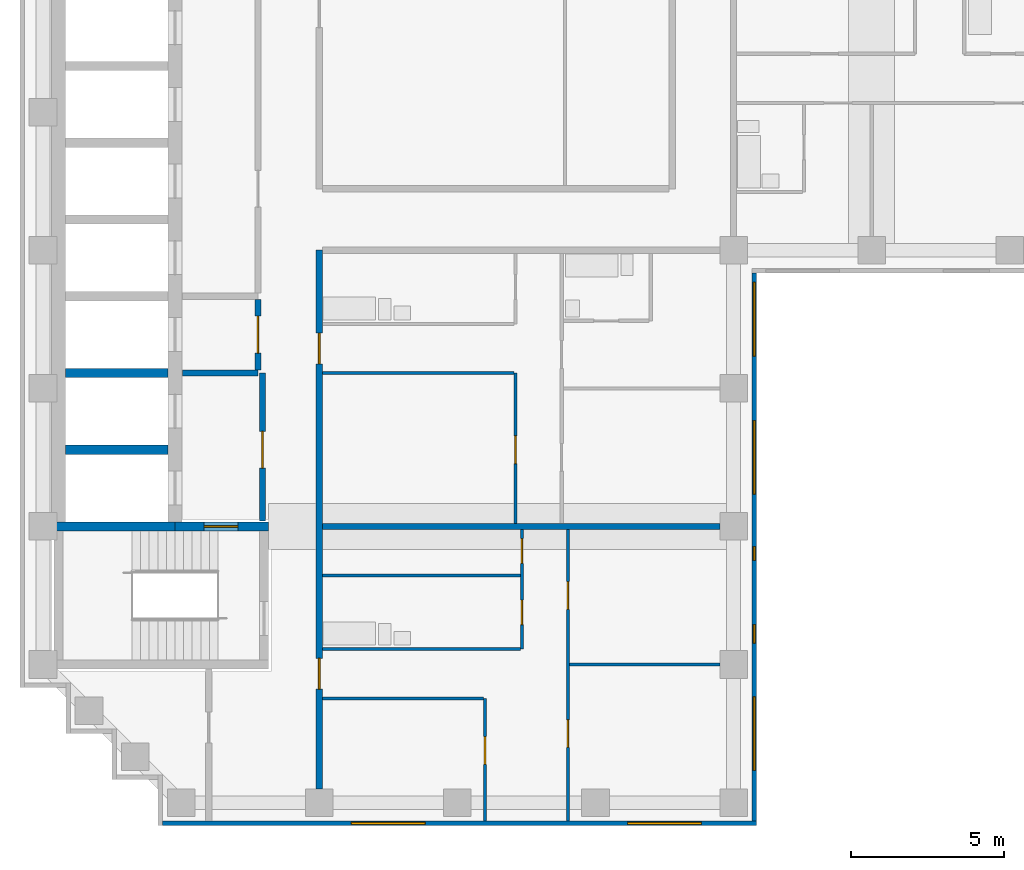
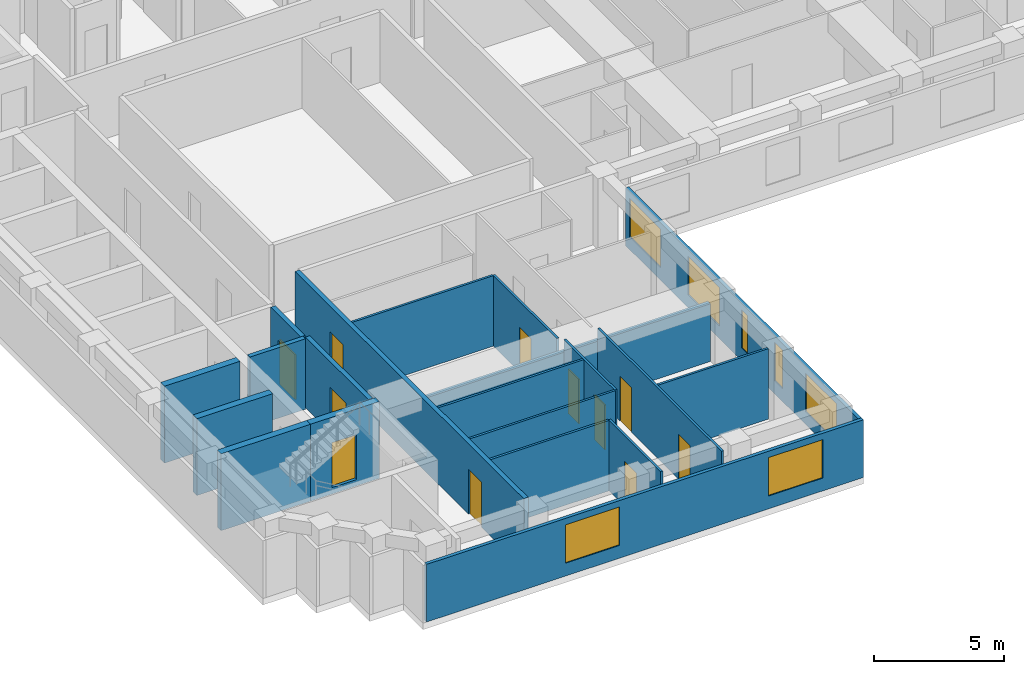
# One storey, part 2 of 9: 20 walls, 11 doors, 7 windows, 18 openings.
"""IFC4 building model written with IfcOpenShell, lengths in metres."""

import ifcopenshell
import ifcopenshell.guid

model = None  # the IFC model being written
_history = None  # IfcOwnerHistory: only IFC2X3 demands one
_inside = {}  # id of a spatial element -> (the spatial element, [elements in it])
_under = {}  # id of a project, library or spatial element -> (it, [spatial elements below it])
_declared = {}  # id of a project -> (the project, [libraries it declares])
_typed = {}  # id of a type object -> (the type object, [elements of that type])
_made_of = {}  # id of a material, layer set ... -> (it, [elements and type objects made of it])


def new_model(schema):
    """Start an empty IFC model of exactly this schema.

    Asked for "IFC4X3", IfcOpenShell would pick the latest addendum, in which some entities
    have other attributes; the version numbers below select the first issue.
    IFC2X3 requires an IfcOwnerHistory on every rooted entity: one is made here for all.
    """
    global model, _history
    if schema == "IFC4X3":
        model = ifcopenshell.file(schema_version=(4, 3, 0, 0))
    else:
        model = ifcopenshell.file(schema=schema)
    _inside.clear()
    _under.clear()
    _declared.clear()
    _typed.clear()
    _made_of.clear()
    _history = None
    if model.schema == "IFC2X3":
        org = make("IfcOrganization", Name="unknown")
        user = make(
            "IfcPersonAndOrganization",
            ThePerson=make("IfcPerson", FamilyName="unknown"),
            TheOrganization=org,
        )
        app = make(
            "IfcApplication",
            ApplicationDeveloper=org,
            Version="unknown",
            ApplicationFullName="unknown",
            ApplicationIdentifier="unknown",
        )
        _history = make(
            "IfcOwnerHistory",
            OwningUser=user,
            OwningApplication=app,
            ChangeAction="ADDED",
            CreationDate=0,
        )
    return model


def make(cls, **values):
    """One entity of the class cls with the attributes given. An attribute that is None is left unset."""
    return model.create_entity(
        cls, **{name: value for name, value in values.items() if value is not None}
    )


def rooted(cls, **values):
    """An entity with a GlobalId (a new one), such as an element, a storey or a relation."""
    return make(cls, GlobalId=ifcopenshell.guid.new(), OwnerHistory=_history, **values)


def si_unit(unit_type, name, prefix=None):
    """IfcSIUnit, for example si_unit("LENGTHUNIT", "METRE", prefix="MILLI")."""
    return make("IfcSIUnit", UnitType=unit_type, Prefix=prefix, Name=name)


def assignment(units):
    """IfcUnitAssignment: the units of a project."""
    return None if units is None else make("IfcUnitAssignment", Units=units)


def point(xyz):
    """IfcCartesianPoint."""
    return None if xyz is None else make("IfcCartesianPoint", Coordinates=xyz)


def direction(xyz):
    """IfcDirection."""
    return None if xyz is None else make("IfcDirection", DirectionRatios=xyz)


def frame(location, z_axis=None, x_axis=None):
    """IfcAxis2Placement3D, a coordinate frame: its origin and axes. An axis left out is left unset."""
    return make(
        "IfcAxis2Placement3D",
        Location=point(location),
        Axis=direction(z_axis),
        RefDirection=direction(x_axis),
    )


def frame_2d(location, x_axis=None):
    """IfcAxis2Placement2D, a coordinate frame in the plane: its origin and x axis."""
    return make(
        "IfcAxis2Placement2D", Location=point(location), RefDirection=direction(x_axis)
    )


def origin():
    """The frame at (0, 0, 0) with its axes left unset."""
    return frame((0.0, 0.0, 0.0))


def place(relative_to, where):
    """IfcLocalPlacement: puts the frame where relative to a parent placement (None: the world)."""
    return make(
        "IfcLocalPlacement", PlacementRelTo=relative_to, RelativePlacement=where
    )


def context(
    kind, dimensions, precision=None, world=None, true_north=None, identifier=None
):
    """IfcGeometricRepresentationContext, for example the 3D "Model" context."""
    return make(
        "IfcGeometricRepresentationContext",
        ContextIdentifier=identifier,
        ContextType=kind,
        CoordinateSpaceDimension=dimensions,
        Precision=precision,
        WorldCoordinateSystem=world,
        TrueNorth=true_north,
    )


def subcontext(parent, identifier, kind, view, scale=None):
    """IfcGeometricRepresentationSubContext, for example "Body" below "Model"."""
    return make(
        "IfcGeometricRepresentationSubContext",
        ContextIdentifier=identifier,
        ContextType=kind,
        ParentContext=parent,
        TargetScale=scale,
        TargetView=view,
    )


def project(units=None, contexts=None):
    """IfcProject with its units and contexts."""
    return rooted(
        "IfcProject",
        Name="project",
        RepresentationContexts=contexts,
        UnitsInContext=assignment(units),
    )


def spatial(cls, under=None, at=None, **own):
    """A site, building, storey or space (cls), placed at a placement, below another one or the project."""
    s = rooted(cls, ObjectPlacement=at, **own)
    if under is not None:
        _under.setdefault(under.id(), (under, []))[1].append(s)
    return s


def profile(cls, at=None, kind="AREA", **sizes):
    """A parametric profile (cls). Its sizes go by their IFC names, for example OverallWidth=200.0."""
    return make(cls, ProfileType=kind, Position=at, **sizes)


def rectangle(**sizes):
    """IfcRectangleProfileDef."""
    return profile("IfcRectangleProfileDef", **sizes)


def extrude(swept, where, along, depth):
    """IfcExtrudedAreaSolid: the profile swept, set in the frame where, extruded along a direction by depth."""
    return make(
        "IfcExtrudedAreaSolid",
        SweptArea=swept,
        Position=where,
        ExtrudedDirection=direction(along),
        Depth=depth,
    )


def shape(context_of_items, identifier, shape_type, items):
    """IfcShapeRepresentation: the items that make up one representation, for example the "Body"."""
    return make(
        "IfcShapeRepresentation",
        ContextOfItems=context_of_items,
        RepresentationIdentifier=identifier,
        RepresentationType=shape_type,
        Items=items,
    )


def material(Name=None, Category=None):
    """IfcMaterial."""
    return make("IfcMaterial", Name=Name, Category=Category)


def layer(
    of_material, thickness, ventilated=None, Name=None, Category=None, Priority=None
):
    """IfcMaterialLayer: one layer of a wall or slab, of a material (None: an air gap)."""
    return make(
        "IfcMaterialLayer",
        Material=of_material,
        LayerThickness=thickness,
        IsVentilated=ventilated,
        Name=Name,
        Category=Category,
        Priority=Priority,
    )


def layer_set(layers, Name=None):
    """IfcMaterialLayerSet."""
    return make("IfcMaterialLayerSet", MaterialLayers=layers, LayerSetName=Name)


def made_of(thing, what):
    """Note that an element or type object is made of a material, layer set ...; save() writes the relation."""
    if what is not None:
        _made_of.setdefault(what.id(), (what, []))[1].append(thing)
    return thing


def type_object(cls, material=None, **own):
    """A type object (cls), such as IfcWallType, which elements share."""
    return made_of(rooted(cls, **own), material)


def element(
    cls,
    number,
    at=None,
    inside=None,
    cuts=None,
    type_object=None,
    material=None,
    context=None,
    identifier="Body",
    shape_type=None,
    held_by="IfcProductDefinitionShape",
    body=None,
    shapes=None,
    **own,
):
    """One element of the class cls, such as IfcWall. Its Tag is "e" and its number.

    at: its placement. inside: the storey or other place that contains it. cuts: it is an
    opening in that element (IfcRelVoidsElement). A single representation is given by context,
    identifier, shape_type and body (its items); several are given by shapes. held_by: the class
    of the entity that holds the representations. save() writes the other relations.
    """
    e = rooted(cls, Tag="e%d" % number, ObjectPlacement=at, **own)
    if body is not None:
        shapes = [shape(context, identifier, shape_type, body)]
    if shapes is not None:
        e.Representation = make(held_by, Representations=shapes)
    if inside is not None:
        _inside.setdefault(inside.id(), (inside, []))[1].append(e)
    if cuts is not None:
        rooted(
            "IfcRelVoidsElement", RelatingBuildingElement=cuts, RelatedOpeningElement=e
        )
    if type_object is not None:
        _typed.setdefault(type_object.id(), (type_object, []))[1].append(e)
    return made_of(e, material)


def fill(opening, filler):
    """IfcRelFillsElement: the door or window that sits in an opening."""
    return rooted(
        "IfcRelFillsElement",
        RelatingOpeningElement=opening,
        RelatedBuildingElement=filler,
    )


def aggregate(whole, parts):
    """IfcRelAggregates: a whole, such as a stair, and the parts it consists of."""
    return rooted("IfcRelAggregates", RelatingObject=whole, RelatedObjects=parts)


def save(model, path):
    """Write the relations noted so far, then the file.

    IfcRelAggregates (storeys below a building ...), IfcRelContainedInSpatialStructure (elements
    in a storey), IfcRelDefinesByType, IfcRelAssociatesMaterial and IfcRelDeclares: one each for
    every whole, place, type object, material and project.
    """
    for whole, parts in _under.values():
        aggregate(whole, parts)
    for where, things in _inside.values():
        rooted(
            "IfcRelContainedInSpatialStructure",
            RelatedElements=things,
            RelatingStructure=where,
        )
    for kind, things in _typed.values():
        rooted("IfcRelDefinesByType", RelatedObjects=things, RelatingType=kind)
    for what, things in _made_of.values():
        rooted("IfcRelAssociatesMaterial", RelatedObjects=things, RelatingMaterial=what)
    for by, libraries in _declared.values():
        rooted("IfcRelDeclares", RelatingContext=by, RelatedDefinitions=libraries)
    model.write(path)


model = new_model("IFC4")

# Units and contexts
model_context = context("Model", 3, precision=1e-05, world=origin(), true_north=direction((0.0, 1.0)))
body_context = subcontext(model_context, "Body", "Model", "MODEL_VIEW")
ifc_project = project(units=[si_unit("LENGTHUNIT", "METRE"), si_unit("AREAUNIT", "SQUARE_METRE"), si_unit("VOLUMEUNIT", "CUBIC_METRE"), si_unit("PLANEANGLEUNIT", "RADIAN"), si_unit("MASSUNIT", "GRAM", prefix="KILO")], contexts=[model_context])

# Site, building, storey
site_placement = place(None, origin())
site = spatial("IfcSite", under=ifc_project, at=site_placement, CompositionType="ELEMENT")
building_placement = place(site_placement, origin())
building = spatial("IfcBuilding", under=site, at=building_placement, Name="Firuza Court", CompositionType="ELEMENT")
storey_placement = place(building_placement, frame((0.0, 0.0, 222.199951171875)))
storey = spatial("IfcBuildingStorey", under=building, at=storey_placement, Name="L57", CompositionType="ELEMENT", Elevation=222.199951171875)

# Walls
ifc_material_1 = material(Name="Moisture-resistant gypsum board partition")
ifc_layer_1 = layer(ifc_material_1, 0.10009765625)
ifc_layer_set_1 = layer_set([ifc_layer_1], Name="Moisture-resistant gypsum board partition")
wall_type_1 = type_object("IfcWallType", Name="Bathroom partition 100", PredefinedType="PLUMBINGWALL", material=ifc_layer_set_1)
for number, where, z_axis, x_axis, name in (
    (1, (9.10009765625, 23.0, 0.0), (0.0, 0.0, 1.0), (1.0, 0.0, 0.0), "Bathroom partition 100 L57"),
    (2, (9.10009765625, 25.39990234375, 0.0), (0.0, 0.0, 1.0), (1.0, 0.0, 0.0), "Bathroom partition 100 L57"),
):
    element("IfcWall", number, at=place(storey_placement, frame(where, z_axis=z_axis, x_axis=x_axis)), inside=storey, type_object=wall_type_1, Name=name, PredefinedType="PLUMBINGWALL", context=body_context, shape_type="SweptSolid", body=[
        extrude(rectangle(XDim=6.449951171875, YDim=0.10009765625, at=frame_2d((3.22509765625, 0.0))), origin(), (0.0, 0.0, 1.0), 3.300048828125),
    ])
ifc_material_2 = material(Name="Concrete C50/60", Category="concrete")
ifc_layer_2 = layer(ifc_material_2, 0.300048828125)
ifc_layer_set_2 = layer_set([ifc_layer_2], Name="Concrete C50/60")
wall_type_2 = type_object("IfcWallType", Name="Core wall 300 C50/60", PredefinedType="SHEAR", material=ifc_layer_set_2)
wall_1_placement = place(storey_placement, frame((0.35009765625, 27.0, -0.300048828125), z_axis=(0.0, 0.0, 1.0), x_axis=(1.0, 0.0, 0.0)))
element("IfcWall", 3, at=wall_1_placement, inside=storey, type_object=wall_type_2, Name="Core wall lift shaft L57", PredefinedType="SHEAR", context=body_context, shape_type="SweptSolid", body=[
    extrude(rectangle(XDim=3.949951171875, YDim=0.300048828125, at=frame_2d((1.97509765625, 0.0))), origin(), (0.0, 0.0, 1.0), 3.60009765625),
])
for number, where, z_axis, x_axis, name in (
    (4, (0.72509765625, 29.5, -0.300048828125), (0.0, 0.0, 1.0), (1.0, 0.0, 0.0), "Core wall lift shaft L57"),
    (5, (0.72509765625, 32.0, -0.300048828125), (0.0, 0.0, 1.0), (1.0, 0.0, 0.0), "Core wall lift shaft L57"),
):
    element("IfcWall", number, at=place(storey_placement, frame(where, z_axis=z_axis, x_axis=x_axis)), inside=storey, type_object=wall_type_2, Name=name, PredefinedType="SHEAR", context=body_context, shape_type="SweptSolid", body=[
        extrude(rectangle(XDim=3.349853515625, YDim=0.300048828125, at=frame_2d((1.6748046875, 0.0))), origin(), (0.0, 0.0, 1.0), 3.60009765625),
    ])

# Wall, opening, door
wall_2_placement = place(storey_placement, frame((4.300048828125, 27.0, -0.300048828125), z_axis=(0.0, 0.0, 1.0), x_axis=(1.0, 0.0, 0.0)))
wall_2 = element("IfcWall", 6, at=wall_2_placement, inside=storey, type_object=wall_type_2, Name="Core wall stair L57", PredefinedType="SHEAR", context=body_context, shape_type="SweptSolid", body=[
    extrude(rectangle(XDim=3.050048828125, YDim=0.300048828125, at=frame_2d((1.52490234375, 0.0))), origin(), (0.0, 0.0, 1.0), 3.60009765625),
])
opening_1_placement = place(wall_2_placement, frame((0.949951171875, 0.0, 0.300048828125)))
opening_1 = element("IfcOpeningElement", 7, at=opening_1_placement, cuts=wall_2, Name="Opening D57010", PredefinedType="OPENING", context=body_context, shape_type="SweptSolid", body=[
    extrude(rectangle(XDim=1.10009765625, YDim=2.10009765625, at=frame_2d((0.550048828125, 1.050048828125))), frame((0.0, 0.162109375, 0.0), z_axis=(0.0, -1.0, 0.0), x_axis=(1.0, 0.0, 0.0)), (0.0, 0.0, 1.0), 0.323974609375),
])
ifc_material_3 = material(Name="Timber door leaf in hardwood frame", Category="wood")
door_type_1 = type_object("IfcDoorType", Name="Stair door 1100", OperationType="SINGLE_SWING_LEFT", PredefinedType="DOOR", material=ifc_material_3)
door_1_placement = place(opening_1_placement, frame((1.10009765625, 0.0, 0.0), z_axis=(0.0, 0.0, 1.0), x_axis=(-1.0, 0.0, 0.0)))
door_1 = element("IfcDoor", 8, at=door_1_placement, inside=storey, type_object=door_type_1, Name="Fire-fighting lobby door", OperationType="SINGLE_SWING_LEFT", OverallHeight=2.10009765625, OverallWidth=1.10009765625, PredefinedType="DOOR", context=body_context, shape_type="SweptSolid", body=[
    extrude(rectangle(XDim=1.10009765625, YDim=2.10009765625, at=frame_2d((0.550048828125, 1.050048828125))), frame((0.0, 0.02490234375, 0.0), z_axis=(0.0, -1.0, 0.0), x_axis=(1.0, 0.0, 0.0)), (0.0, 0.0, 1.0), 0.050048828125),
])
fill(opening_1, door_1)

# Wall, openings, doors
ifc_material_4 = material(Name="Blockwork, plastered both sides", Category="masonry")
ifc_layer_3 = layer(ifc_material_4, 0.199951171875)
ifc_layer_set_3 = layer_set([ifc_layer_3], Name="Blockwork, plastered both sides")
wall_type_3 = type_object("IfcWallType", Name="Corridor wall 200", PredefinedType="PARTITIONING", material=ifc_layer_set_3)
wall_3_placement = place(storey_placement, frame((9.0, 18.449951171875, 0.0), z_axis=(0.0, 0.0, 1.0), x_axis=(0.0, 1.0, 0.0)))
wall_3 = element("IfcWall", 9, at=wall_3_placement, inside=storey, type_object=wall_type_3, Name="Corridor wall 200 L57", PredefinedType="PARTITIONING", context=body_context, shape_type="SweptSolid", body=[
    extrude(rectangle(XDim=17.550048828125, YDim=0.199951171875, at=frame_2d((8.77490234375, 0.0))), origin(), (0.0, 0.0, 1.0), 3.300048828125),
])
opening_2_placement = place(wall_3_placement, frame((13.85009765625, 0.0, 0.0)))
opening_2 = element("IfcOpeningElement", 10, at=opening_2_placement, cuts=wall_3, Name="Opening D57017", PredefinedType="OPENING", context=body_context, shape_type="SweptSolid", body=[
    extrude(rectangle(XDim=1.0, YDim=2.10009765625, at=frame_2d((0.5, 1.050048828125))), frame((0.0, 0.11181640625, 0.0), z_axis=(0.0, -1.0, 0.0), x_axis=(1.0, 0.0, 0.0)), (0.0, 0.0, 1.0), 0.223876953125),
])
opening_3_placement = place(wall_3_placement, frame((3.25, 0.0, 0.0)))
opening_3 = element("IfcOpeningElement", 11, at=opening_3_placement, cuts=wall_3, Name="Opening D57018", PredefinedType="OPENING", context=body_context, shape_type="SweptSolid", body=[
    extrude(rectangle(XDim=1.0, YDim=2.10009765625, at=frame_2d((0.5, 1.050048828125))), frame((0.0, 0.11181640625, 0.0), z_axis=(0.0, -1.0, 0.0), x_axis=(1.0, 0.0, 0.0)), (0.0, 0.0, 1.0), 0.223876953125),
])
ifc_material_5 = material(Name="Timber door leaf in hardwood frame", Category="wood")
door_type_2 = type_object("IfcDoorType", Name="Flat entrance door 1000", OperationType="SINGLE_SWING_LEFT", PredefinedType="DOOR", material=ifc_material_5)
door_2_placement = place(opening_2_placement, origin())
door_2 = element("IfcDoor", 12, at=door_2_placement, inside=storey, type_object=door_type_2, Name="Flat entrance door", OperationType="SINGLE_SWING_LEFT", OverallHeight=2.10009765625, OverallWidth=1.0, PredefinedType="DOOR", context=body_context, shape_type="SweptSolid", body=[
    extrude(rectangle(XDim=1.0, YDim=2.10009765625, at=frame_2d((0.5, 1.050048828125))), frame((0.0, 0.02490234375, 0.0), z_axis=(0.0, -1.0, 0.0), x_axis=(1.0, 0.0, 0.0)), (0.0, 0.0, 1.0), 0.050048828125),
])
fill(opening_2, door_2)
door_3_placement = place(opening_3_placement, origin())
door_3 = element("IfcDoor", 13, at=door_3_placement, inside=storey, type_object=door_type_2, Name="Flat entrance door", OperationType="SINGLE_SWING_LEFT", OverallHeight=2.10009765625, OverallWidth=1.0, PredefinedType="DOOR", context=body_context, shape_type="SweptSolid", body=[
    extrude(rectangle(XDim=1.0, YDim=2.10009765625, at=frame_2d((0.5, 1.050048828125))), frame((0.0, 0.02490234375, 0.0), z_axis=(0.0, -1.0, 0.0), x_axis=(1.0, 0.0, 0.0)), (0.0, 0.0, 1.0), 0.050048828125),
])
fill(opening_3, door_3)

# Wall, opening, door
ifc_material_6 = material(Name="Timber stud partition, plasterboard both sides", Category="wood")
ifc_layer_4 = layer(ifc_material_6, 0.10009765625)
ifc_layer_set_4 = layer_set([ifc_layer_4], Name="Timber stud partition, plasterboard both sides")
wall_type_4 = type_object("IfcWallType", Name="Partition wall 100", PredefinedType="PARTITIONING", material=ifc_layer_set_4)
wall_4_placement = place(storey_placement, frame((14.39990234375, 17.39990234375, 0.0), z_axis=(0.0, 0.0, 1.0), x_axis=(0.0, 1.0, 0.0)))
wall_4 = element("IfcWall", 14, at=wall_4_placement, inside=storey, type_object=wall_type_4, Name="Partition wall 100 L57", PredefinedType="PARTITIONING", context=body_context, shape_type="SweptSolid", body=[
    extrude(rectangle(XDim=4.0, YDim=0.10009765625, at=frame_2d((2.0, 0.0))), origin(), (0.0, 0.0, 1.0), 3.300048828125),
])
opening_4_placement = place(wall_4_placement, frame((1.85009765625, 0.0, 0.0)))
opening_4 = element("IfcOpeningElement", 15, at=opening_4_placement, cuts=wall_4, Name="Opening D57014", PredefinedType="OPENING", context=body_context, shape_type="SweptSolid", body=[
    extrude(rectangle(XDim=0.89990234375, YDim=2.10009765625, at=frame_2d((0.449951171875, 1.050048828125))), frame((0.0, 0.06201171875, 0.0), z_axis=(0.0, -1.0, 0.0), x_axis=(1.0, 0.0, 0.0)), (0.0, 0.0, 1.0), 0.1240234375),
])
ifc_material_7 = material(Name="Timber door leaf in hardwood frame", Category="wood")
door_type_3 = type_object("IfcDoorType", Name="Room door 900", OperationType="SINGLE_SWING_LEFT", PredefinedType="DOOR", material=ifc_material_7)
door_4_placement = place(opening_4_placement, origin())
door_4 = element("IfcDoor", 16, at=door_4_placement, inside=storey, type_object=door_type_3, Name="Kitchen door", OperationType="SINGLE_SWING_RIGHT", OverallHeight=2.10009765625, OverallWidth=0.89990234375, PredefinedType="DOOR", context=body_context, shape_type="SweptSolid", body=[
    extrude(rectangle(XDim=0.89990234375, YDim=2.10009765625, at=frame_2d((0.449951171875, 1.050048828125))), frame((0.0, 0.02490234375, 0.0), z_axis=(0.0, -1.0, 0.0), x_axis=(1.0, 0.0, 0.0)), (0.0, 0.0, 1.0), 0.050048828125),
])
fill(opening_4, door_4)

# Wall, openings, doors
wall_5_placement = place(storey_placement, frame((17.10009765625, 17.39990234375, 0.0), z_axis=(0.0, 0.0, 1.0), x_axis=(0.0, 1.0, 0.0)))
wall_5 = element("IfcWall", 17, at=wall_5_placement, inside=storey, type_object=wall_type_4, Name="Partition wall 100 L57", PredefinedType="PARTITIONING", context=body_context, shape_type="SweptSolid", body=[
    extrude(rectangle(XDim=9.5, YDim=0.10009765625, at=frame_2d((4.75, 0.0))), origin(), (0.0, 0.0, 1.0), 3.300048828125),
])
opening_5_placement = place(wall_5_placement, frame((2.39990234375, 0.0, 0.0)))
opening_5 = element("IfcOpeningElement", 18, at=opening_5_placement, cuts=wall_5, Name="Opening D57015", PredefinedType="OPENING", context=body_context, shape_type="SweptSolid", body=[
    extrude(rectangle(XDim=0.89990234375, YDim=2.10009765625, at=frame_2d((0.449951171875, 1.050048828125))), frame((0.0, 0.06201171875, 0.0), z_axis=(0.0, -1.0, 0.0), x_axis=(1.0, 0.0, 0.0)), (0.0, 0.0, 1.0), 0.1240234375),
])
opening_6_placement = place(wall_5_placement, frame((6.89990234375, 0.0, 0.0)))
opening_6 = element("IfcOpeningElement", 19, at=opening_6_placement, cuts=wall_5, Name="Opening D57016", PredefinedType="OPENING", context=body_context, shape_type="SweptSolid", body=[
    extrude(rectangle(XDim=0.89990234375, YDim=2.10009765625, at=frame_2d((0.449951171875, 1.050048828125))), frame((0.0, 0.06201171875, 0.0), z_axis=(0.0, -1.0, 0.0), x_axis=(1.0, 0.0, 0.0)), (0.0, 0.0, 1.0), 0.1240234375),
])
door_5_placement = place(opening_5_placement, frame((0.89990234375, 0.0, 0.0), z_axis=(0.0, 0.0, 1.0), x_axis=(-1.0, 0.0, 0.0)))
door_5 = element("IfcDoor", 20, at=door_5_placement, inside=storey, type_object=door_type_3, Name="Living room door", OperationType="SINGLE_SWING_LEFT", OverallHeight=2.10009765625, OverallWidth=0.89990234375, PredefinedType="DOOR", context=body_context, shape_type="SweptSolid", body=[
    extrude(rectangle(XDim=0.89990234375, YDim=2.10009765625, at=frame_2d((0.449951171875, 1.050048828125))), frame((0.0, 0.02490234375, 0.0), z_axis=(0.0, -1.0, 0.0), x_axis=(1.0, 0.0, 0.0)), (0.0, 0.0, 1.0), 0.050048828125),
])
fill(opening_5, door_5)
door_6_placement = place(opening_6_placement, frame((0.89990234375, 0.0, 0.0), z_axis=(0.0, 0.0, 1.0), x_axis=(-1.0, 0.0, 0.0)))
door_6 = element("IfcDoor", 21, at=door_6_placement, inside=storey, type_object=door_type_3, Name="Bedroom door", OperationType="SINGLE_SWING_RIGHT", OverallHeight=2.10009765625, OverallWidth=0.89990234375, PredefinedType="DOOR", context=body_context, shape_type="SweptSolid", body=[
    extrude(rectangle(XDim=0.89990234375, YDim=2.10009765625, at=frame_2d((0.449951171875, 1.050048828125))), frame((0.0, 0.02490234375, 0.0), z_axis=(0.0, -1.0, 0.0), x_axis=(1.0, 0.0, 0.0)), (0.0, 0.0, 1.0), 0.050048828125),
])
fill(opening_6, door_6)

# Walls
wall_6_placement = place(storey_placement, frame((9.10009765625, 21.39990234375, 0.0), z_axis=(0.0, 0.0, 1.0), x_axis=(1.0, 0.0, 0.0)))
element("IfcWall", 22, at=wall_6_placement, inside=storey, type_object=wall_type_4, Name="Partition wall 100 L57", PredefinedType="PARTITIONING", context=body_context, shape_type="SweptSolid", body=[
    extrude(rectangle(XDim=5.25, YDim=0.10009765625, at=frame_2d((2.625, 0.0))), origin(), (0.0, 0.0, 1.0), 3.300048828125),
])
wall_7_placement = place(storey_placement, frame((17.14990234375, 22.5, 0.0), z_axis=(0.0, 0.0, 1.0), x_axis=(1.0, 0.0, 0.0)))
element("IfcWall", 23, at=wall_7_placement, inside=storey, type_object=wall_type_4, Name="Partition wall 100 L57", PredefinedType="PARTITIONING", context=body_context, shape_type="SweptSolid", body=[
    extrude(rectangle(XDim=4.900146484375, YDim=0.10009765625, at=frame_2d((2.4501953125, 0.0))), origin(), (0.0, 0.0, 1.0), 3.300048828125),
])

# Wall, openings, doors
wall_8_placement = place(storey_placement, frame((15.60009765625, 23.0, 0.0), z_axis=(0.0, 0.0, 1.0), x_axis=(0.0, 1.0, 0.0)))
wall_8 = element("IfcWall", 24, at=wall_8_placement, inside=storey, type_object=wall_type_4, Name="Partition wall 100 L57", PredefinedType="PARTITIONING", context=body_context, shape_type="SweptSolid", body=[
    extrude(rectangle(XDim=3.89990234375, YDim=0.10009765625, at=frame_2d((1.949951171875, 0.0))), origin(), (0.0, 0.0, 1.0), 3.300048828125),
])
opening_7_placement = place(wall_8_placement, frame((0.800048828125, 0.0, 0.0)))
opening_7 = element("IfcOpeningElement", 25, at=opening_7_placement, cuts=wall_8, Name="Opening D57019", PredefinedType="OPENING", context=body_context, shape_type="SweptSolid", body=[
    extrude(rectangle(XDim=0.800048828125, YDim=2.10009765625, at=frame_2d((0.39990234375, 1.050048828125))), frame((0.0, 0.06201171875, 0.0), z_axis=(0.0, -1.0, 0.0), x_axis=(1.0, 0.0, 0.0)), (0.0, 0.0, 1.0), 0.1240234375),
])
opening_8_placement = place(wall_8_placement, frame((2.800048828125, 0.0, 0.0)))
opening_8 = element("IfcOpeningElement", 26, at=opening_8_placement, cuts=wall_8, Name="Opening D57020", PredefinedType="OPENING", context=body_context, shape_type="SweptSolid", body=[
    extrude(rectangle(XDim=0.800048828125, YDim=2.10009765625, at=frame_2d((0.39990234375, 1.050048828125))), frame((0.0, 0.06201171875, 0.0), z_axis=(0.0, -1.0, 0.0), x_axis=(1.0, 0.0, 0.0)), (0.0, 0.0, 1.0), 0.1240234375),
])
ifc_material_8 = material(Name="Timber door leaf in hardwood frame", Category="wood")
door_type_4 = type_object("IfcDoorType", Name="Bathroom door 800", OperationType="SINGLE_SWING_LEFT", PredefinedType="DOOR", material=ifc_material_8)
door_7_placement = place(opening_7_placement, origin())
door_7 = element("IfcDoor", 27, at=door_7_placement, inside=storey, type_object=door_type_4, Name="Bathroom door", OperationType="SINGLE_SWING_LEFT", OverallHeight=2.10009765625, OverallWidth=0.800048828125, PredefinedType="DOOR", context=body_context, shape_type="SweptSolid", body=[
    extrude(rectangle(XDim=0.800048828125, YDim=2.10009765625, at=frame_2d((0.39990234375, 1.050048828125))), frame((0.0, 0.02490234375, 0.0), z_axis=(0.0, -1.0, 0.0), x_axis=(1.0, 0.0, 0.0)), (0.0, 0.0, 1.0), 0.050048828125),
])
fill(opening_7, door_7)
ifc_material_9 = material(Name="Timber door leaf in hardwood frame", Category="wood")
door_type_5 = type_object("IfcDoorType", Name="Room door 800", OperationType="SINGLE_SWING_LEFT", PredefinedType="DOOR", material=ifc_material_9)
door_8_placement = place(opening_8_placement, origin())
door_8 = element("IfcDoor", 28, at=door_8_placement, inside=storey, type_object=door_type_5, Name="Store door", OperationType="SINGLE_SWING_LEFT", OverallHeight=2.10009765625, OverallWidth=0.800048828125, PredefinedType="DOOR", context=body_context, shape_type="SweptSolid", body=[
    extrude(rectangle(XDim=0.800048828125, YDim=2.10009765625, at=frame_2d((0.39990234375, 1.050048828125))), frame((0.0, 0.02490234375, 0.0), z_axis=(0.0, -1.0, 0.0), x_axis=(1.0, 0.0, 0.0)), (0.0, 0.0, 1.0), 0.050048828125),
])
fill(opening_8, door_8)

# Wall, opening, door
wall_9_placement = place(storey_placement, frame((15.39990234375, 27.10009765625, 0.0), z_axis=(0.0, 0.0, 1.0), x_axis=(0.0, 1.0, 0.0)))
wall_9 = element("IfcWall", 29, at=wall_9_placement, inside=storey, type_object=wall_type_4, Name="Partition wall 100 L57", PredefinedType="PARTITIONING", context=body_context, shape_type="SweptSolid", body=[
    extrude(rectangle(XDim=4.89990234375, YDim=0.10009765625, at=frame_2d((2.449951171875, 0.0))), origin(), (0.0, 0.0, 1.0), 3.300048828125),
])
opening_9_placement = place(wall_9_placement, frame((1.949951171875, 0.0, 0.0)))
opening_9 = element("IfcOpeningElement", 30, at=opening_9_placement, cuts=wall_9, Name="Opening D57021", PredefinedType="OPENING", context=body_context, shape_type="SweptSolid", body=[
    extrude(rectangle(XDim=0.89990234375, YDim=2.10009765625, at=frame_2d((0.449951171875, 1.050048828125))), frame((0.0, 0.06201171875, 0.0), z_axis=(0.0, -1.0, 0.0), x_axis=(1.0, 0.0, 0.0)), (0.0, 0.0, 1.0), 0.1240234375),
])
door_9_placement = place(opening_9_placement, origin())
door_9 = element("IfcDoor", 31, at=door_9_placement, inside=storey, type_object=door_type_3, Name="Kitchen door", OperationType="SINGLE_SWING_LEFT", OverallHeight=2.10009765625, OverallWidth=0.89990234375, PredefinedType="DOOR", context=body_context, shape_type="SweptSolid", body=[
    extrude(rectangle(XDim=0.89990234375, YDim=2.10009765625, at=frame_2d((0.449951171875, 1.050048828125))), frame((0.0, 0.02490234375, 0.0), z_axis=(0.0, -1.0, 0.0), x_axis=(1.0, 0.0, 0.0)), (0.0, 0.0, 1.0), 0.050048828125),
])
fill(opening_9, door_9)

# Walls
wall_10_placement = place(storey_placement, frame((9.10009765625, 32.0, 0.0), z_axis=(0.0, 0.0, 1.0), x_axis=(1.0, 0.0, 0.0)))
element("IfcWall", 32, at=wall_10_placement, inside=storey, type_object=wall_type_4, Name="Partition wall 100 L57", PredefinedType="PARTITIONING", context=body_context, shape_type="SweptSolid", body=[
    extrude(rectangle(XDim=6.25, YDim=0.10009765625, at=frame_2d((3.125, 0.0))), origin(), (0.0, 0.0, 1.0), 3.300048828125),
])
ifc_layer_5 = layer(ifc_material_4, 0.199951171875)
ifc_layer_set_5 = layer_set([ifc_layer_5], Name="Blockwork, plastered both sides")
wall_type_5 = type_object("IfcWallType", Name="Party wall 200", PredefinedType="PARTITIONING", material=ifc_layer_set_5)
wall_11_placement = place(storey_placement, frame((9.10009765625, 27.0, 0.0), z_axis=(0.0, 0.0, 1.0), x_axis=(1.0, 0.0, 0.0)))
element("IfcWall", 33, at=wall_11_placement, inside=storey, type_object=wall_type_5, Name="Party wall 200 L57", PredefinedType="PARTITIONING", context=body_context, shape_type="SweptSolid", body=[
    extrude(rectangle(XDim=12.949951171875, YDim=0.199951171875, at=frame_2d((6.47509765625, 0.0))), origin(), (0.0, 0.0, 1.0), 2.699951171875),
])

# Wall, openings, windows
ifc_material_10 = material(Name="Ceramic tile", Category="ceramic")
ifc_layer_6 = layer(ifc_material_10, 0.02001953125)
ifc_material_11 = material(Name="Mineral wool insulation", Category="insulation")
ifc_layer_7 = layer(ifc_material_11, 0.050048828125)
ifc_material_12 = material(Name="Concrete C40/50 precast", Category="concrete")
ifc_layer_8 = layer(ifc_material_12, 0.080078125)
ifc_layer_set_6 = layer_set([ifc_layer_6, ifc_layer_7, ifc_layer_8], Name="Concrete C40/50 precast")
wall_type_6 = type_object("IfcWallType", Name="Precast cladding wall with turquoise TILE PANEL face 150", PredefinedType="STANDARD", material=ifc_layer_set_6)
wall_12_placement = place(storey_placement, frame((3.89990234375, 17.324951171875, 0.0), z_axis=(0.0, 0.0, 1.0), x_axis=(1.0, 0.0, 0.0)))
wall_12 = element("IfcWall", 34, at=wall_12_placement, inside=storey, type_object=wall_type_6, Name="Facade wall L57 S", PredefinedType="STANDARD", context=body_context, shape_type="SweptSolid", body=[
    extrude(rectangle(XDim=19.35009765625, YDim=0.14990234375, at=frame_2d((9.675048828125, 0.0))), origin(), (0.0, 0.0, 1.0), 2.699951171875),
])
opening_10_placement = place(wall_12_placement, frame((6.14990234375, 0.0, 0.60009765625)))
opening_10 = element("IfcOpeningElement", 35, at=opening_10_placement, cuts=wall_12, Name="Opening W1", PredefinedType="OPENING", context=body_context, shape_type="SweptSolid", body=[
    extrude(rectangle(XDim=2.39990234375, YDim=1.800048828125, at=frame_2d((1.199951171875, 0.89990234375))), frame((0.0, 0.0869140625, 0.0), z_axis=(0.0, -1.0, 0.0), x_axis=(1.0, 0.0, 0.0)), (0.0, 0.0, 1.0), 0.173828125),
])
opening_11_placement = place(wall_12_placement, frame((15.14990234375, 0.0, 0.60009765625)))
opening_11 = element("IfcOpeningElement", 36, at=opening_11_placement, cuts=wall_12, Name="Opening W1", PredefinedType="OPENING", context=body_context, shape_type="SweptSolid", body=[
    extrude(rectangle(XDim=2.39990234375, YDim=1.800048828125, at=frame_2d((1.199951171875, 0.89990234375))), frame((0.0, 0.0869140625, 0.0), z_axis=(0.0, -1.0, 0.0), x_axis=(1.0, 0.0, 0.0)), (0.0, 0.0, 1.0), 0.173828125),
])
ifc_material_13 = material(Name="Aluminium frame, triple clear glazing", Category="aluminium")
window_type_1 = type_object("IfcWindowType", Name="Window W1 2400 x 1800", PartitioningType="SINGLE_PANEL", PredefinedType="WINDOW", material=ifc_material_13)
window_1_placement = place(opening_10_placement, origin())
window_1 = element("IfcWindow", 37, at=window_1_placement, inside=storey, type_object=window_type_1, Name="Window L57", OverallHeight=1.800048828125, OverallWidth=2.39990234375, PartitioningType="SINGLE_PANEL", PredefinedType="WINDOW", context=body_context, shape_type="SweptSolid", body=[
    extrude(rectangle(XDim=2.39990234375, YDim=1.800048828125, at=frame_2d((1.199951171875, 0.89990234375))), frame((0.0, 0.030029296875, 0.0), z_axis=(0.0, -1.0, 0.0), x_axis=(1.0, 0.0, 0.0)), (0.0, 0.0, 1.0), 0.06005859375),
])
fill(opening_10, window_1)
window_2_placement = place(opening_11_placement, origin())
window_2 = element("IfcWindow", 38, at=window_2_placement, inside=storey, type_object=window_type_1, Name="Window L57", OverallHeight=1.800048828125, OverallWidth=2.39990234375, PartitioningType="SINGLE_PANEL", PredefinedType="WINDOW", context=body_context, shape_type="SweptSolid", body=[
    extrude(rectangle(XDim=2.39990234375, YDim=1.800048828125, at=frame_2d((1.199951171875, 0.89990234375))), frame((0.0, 0.030029296875, 0.0), z_axis=(0.0, -1.0, 0.0), x_axis=(1.0, 0.0, 0.0)), (0.0, 0.0, 1.0), 0.06005859375),
])
fill(opening_11, window_2)

wall_13_placement = place(storey_placement, frame((23.175048828125, 17.39990234375, 0.0), z_axis=(0.0, 0.0, 1.0), x_axis=(0.0, 1.0, 0.0)))
wall_13 = element("IfcWall", 39, at=wall_13_placement, inside=storey, type_object=wall_type_6, Name="Facade wall L57 E", PredefinedType="STANDARD", context=body_context, shape_type="SweptSolid", body=[
    extrude(rectangle(XDim=17.85009765625, YDim=0.14990234375, at=frame_2d((8.925048828125, 0.0))), origin(), (0.0, 0.0, 1.0), 2.699951171875),
])
opening_12_placement = place(wall_13_placement, frame((1.64990234375, 0.0, 0.60009765625)))
opening_12 = element("IfcOpeningElement", 40, at=opening_12_placement, cuts=wall_13, Name="Opening W1", PredefinedType="OPENING", context=body_context, shape_type="SweptSolid", body=[
    extrude(rectangle(XDim=2.39990234375, YDim=1.800048828125, at=frame_2d((1.199951171875, 0.89990234375))), frame((0.0, 0.0869140625, 0.0), z_axis=(0.0, -1.0, 0.0), x_axis=(1.0, 0.0, 0.0)), (0.0, 0.0, 1.0), 0.173828125),
])
opening_13_placement = place(wall_13_placement, frame((5.797607421875, 0.0, 0.60009765625)))
opening_13 = element("IfcOpeningElement", 41, at=opening_13_placement, cuts=wall_13, Name="Opening W4", PredefinedType="OPENING", context=body_context, shape_type="SweptSolid", body=[
    extrude(rectangle(XDim=0.60009765625, YDim=1.800048828125, at=frame_2d((0.300048828125, 0.89990234375))), frame((0.0, 0.0869140625, 0.0), z_axis=(0.0, -1.0, 0.0), x_axis=(1.0, 0.0, 0.0)), (0.0, 0.0, 1.0), 0.173828125),
])
opening_14_placement = place(wall_13_placement, frame((8.491455078125, 0.0, 0.60009765625)))
opening_14 = element("IfcOpeningElement", 42, at=opening_14_placement, cuts=wall_13, Name="Opening W5", PredefinedType="OPENING", context=body_context, shape_type="SweptSolid", body=[
    extrude(rectangle(XDim=0.449951171875, YDim=1.800048828125, at=frame_2d((0.22509765625, 0.89990234375))), frame((0.0, 0.0869140625, 0.0), z_axis=(0.0, -1.0, 0.0), x_axis=(1.0, 0.0, 0.0)), (0.0, 0.0, 1.0), 0.173828125),
])
opening_15_placement = place(wall_13_placement, frame((10.64990234375, 0.0, 0.60009765625)))
opening_15 = element("IfcOpeningElement", 43, at=opening_15_placement, cuts=wall_13, Name="Opening W1", PredefinedType="OPENING", context=body_context, shape_type="SweptSolid", body=[
    extrude(rectangle(XDim=2.39990234375, YDim=1.800048828125, at=frame_2d((1.199951171875, 0.89990234375))), frame((0.0, 0.0869140625, 0.0), z_axis=(0.0, -1.0, 0.0), x_axis=(1.0, 0.0, 0.0)), (0.0, 0.0, 1.0), 0.173828125),
])
opening_16_placement = place(wall_13_placement, frame((15.14990234375, 0.0, 0.60009765625)))
opening_16 = element("IfcOpeningElement", 44, at=opening_16_placement, cuts=wall_13, Name="Opening W1", PredefinedType="OPENING", context=body_context, shape_type="SweptSolid", body=[
    extrude(rectangle(XDim=2.39990234375, YDim=1.800048828125, at=frame_2d((1.199951171875, 0.89990234375))), frame((0.0, 0.0869140625, 0.0), z_axis=(0.0, -1.0, 0.0), x_axis=(1.0, 0.0, 0.0)), (0.0, 0.0, 1.0), 0.173828125),
])
window_3_placement = place(opening_12_placement, origin())
window_3 = element("IfcWindow", 45, at=window_3_placement, inside=storey, type_object=window_type_1, Name="Window L57", OverallHeight=1.800048828125, OverallWidth=2.39990234375, PartitioningType="SINGLE_PANEL", PredefinedType="WINDOW", context=body_context, shape_type="SweptSolid", body=[
    extrude(rectangle(XDim=2.39990234375, YDim=1.800048828125, at=frame_2d((1.199951171875, 0.89990234375))), frame((0.0, 0.030029296875, 0.0), z_axis=(0.0, -1.0, 0.0), x_axis=(1.0, 0.0, 0.0)), (0.0, 0.0, 1.0), 0.06005859375),
])
fill(opening_12, window_3)
window_4_placement = place(opening_15_placement, origin())
window_4 = element("IfcWindow", 46, at=window_4_placement, inside=storey, type_object=window_type_1, Name="Window L57", OverallHeight=1.800048828125, OverallWidth=2.39990234375, PartitioningType="SINGLE_PANEL", PredefinedType="WINDOW", context=body_context, shape_type="SweptSolid", body=[
    extrude(rectangle(XDim=2.39990234375, YDim=1.800048828125, at=frame_2d((1.199951171875, 0.89990234375))), frame((0.0, 0.030029296875, 0.0), z_axis=(0.0, -1.0, 0.0), x_axis=(1.0, 0.0, 0.0)), (0.0, 0.0, 1.0), 0.06005859375),
])
fill(opening_15, window_4)
window_5_placement = place(opening_16_placement, origin())
window_5 = element("IfcWindow", 47, at=window_5_placement, inside=storey, type_object=window_type_1, Name="Window L57", OverallHeight=1.800048828125, OverallWidth=2.39990234375, PartitioningType="SINGLE_PANEL", PredefinedType="WINDOW", context=body_context, shape_type="SweptSolid", body=[
    extrude(rectangle(XDim=2.39990234375, YDim=1.800048828125, at=frame_2d((1.199951171875, 0.89990234375))), frame((0.0, 0.030029296875, 0.0), z_axis=(0.0, -1.0, 0.0), x_axis=(1.0, 0.0, 0.0)), (0.0, 0.0, 1.0), 0.06005859375),
])
fill(opening_16, window_5)
ifc_material_14 = material(Name="Aluminium frame, triple clear glazing", Category="aluminium")
window_type_2 = type_object("IfcWindowType", Name="Window W4 600 x 1800", PartitioningType="SINGLE_PANEL", PredefinedType="WINDOW", material=ifc_material_14)
window_6_placement = place(opening_13_placement, origin())
window_6 = element("IfcWindow", 48, at=window_6_placement, inside=storey, type_object=window_type_2, Name="Window L57", OverallHeight=1.800048828125, OverallWidth=0.60009765625, PartitioningType="SINGLE_PANEL", PredefinedType="WINDOW", context=body_context, shape_type="SweptSolid", body=[
    extrude(rectangle(XDim=0.60009765625, YDim=1.800048828125, at=frame_2d((0.300048828125, 0.89990234375))), frame((0.0, 0.030029296875, 0.0), z_axis=(0.0, -1.0, 0.0), x_axis=(1.0, 0.0, 0.0)), (0.0, 0.0, 1.0), 0.06005859375),
])
fill(opening_13, window_6)
ifc_material_15 = material(Name="Aluminium frame, triple clear glazing", Category="aluminium")
window_type_3 = type_object("IfcWindowType", Name="Window W5 450 x 1800", PartitioningType="SINGLE_PANEL", PredefinedType="WINDOW", material=ifc_material_15)
window_7_placement = place(opening_14_placement, origin())
window_7 = element("IfcWindow", 49, at=window_7_placement, inside=storey, type_object=window_type_3, Name="Window L57", OverallHeight=1.800048828125, OverallWidth=0.449951171875, PartitioningType="SINGLE_PANEL", PredefinedType="WINDOW", context=body_context, shape_type="SweptSolid", body=[
    extrude(rectangle(XDim=0.449951171875, YDim=1.800048828125, at=frame_2d((0.22509765625, 0.89990234375))), frame((0.0, 0.030029296875, 0.0), z_axis=(0.0, -1.0, 0.0), x_axis=(1.0, 0.0, 0.0)), (0.0, 0.0, 1.0), 0.06005859375),
])
fill(opening_14, window_7)

# Wall
ifc_material_16 = material(Name="Blockwork, fire-rated", Category="masonry")
ifc_layer_9 = layer(ifc_material_16, 0.199951171875)
ifc_layer_set_7 = layer_set([ifc_layer_9], Name="Blockwork, fire-rated")
wall_type_7 = type_object("IfcWallType", Name="Shaft wall 200", PredefinedType="PARTITIONING", material=ifc_layer_set_7)
wall_14_placement = place(storey_placement, frame((4.544921875, 32.0, 0.0), z_axis=(0.0, 0.0, 1.0), x_axis=(1.0, 0.0, 0.0)))
element("IfcWall", 50, at=wall_14_placement, inside=storey, type_object=wall_type_7, Name="Shaft wall 200 L57", PredefinedType="PARTITIONING", context=body_context, shape_type="SweptSolid", body=[
    extrude(rectangle(XDim=2.455078125, YDim=0.199951171875, at=frame_2d((1.2275390625, 0.0))), origin(), (0.0, 0.0, 1.0), 3.300048828125),
])

# Wall, opening, door
wall_15_placement = place(storey_placement, frame((7.0, 32.10009765625, 0.0), z_axis=(0.0, 0.0, 1.0), x_axis=(0.0, 1.0, 0.0)))
wall_15 = element("IfcWall", 51, at=wall_15_placement, inside=storey, type_object=wall_type_7, Name="Shaft wall 200 L57", PredefinedType="PARTITIONING", context=body_context, shape_type="SweptSolid", body=[
    extrude(rectangle(XDim=2.2998046875, YDim=0.199951171875, at=frame_2d((1.14990234375, 0.0))), origin(), (0.0, 0.0, 1.0), 3.300048828125),
])
opening_17_placement = place(wall_15_placement, frame((0.550048828125, 0.0, 0.0)))
opening_17 = element("IfcOpeningElement", 52, at=opening_17_placement, cuts=wall_15, Name="Opening D57007", PredefinedType="OPENING", context=body_context, shape_type="SweptSolid", body=[
    extrude(rectangle(XDim=1.199951171875, YDim=2.10009765625, at=frame_2d((0.60009765625, 1.050048828125))), frame((0.0, 0.11181640625, 0.0), z_axis=(0.0, -1.0, 0.0), x_axis=(1.0, 0.0, 0.0)), (0.0, 0.0, 1.0), 0.223876953125),
])
ifc_material_17 = material(Name="Timber door leaf in hardwood frame", Category="wood")
door_type_6 = type_object("IfcDoorType", Name="Lobby door 1200", OperationType="SINGLE_SWING_LEFT", PredefinedType="DOOR", material=ifc_material_17)
door_10_placement = place(opening_17_placement, origin())
door_10 = element("IfcDoor", 53, at=door_10_placement, inside=storey, type_object=door_type_6, Name="Lobby door", OperationType="SINGLE_SWING_LEFT", OverallHeight=2.10009765625, OverallWidth=1.199951171875, PredefinedType="DOOR", context=body_context, shape_type="SweptSolid", body=[
    extrude(rectangle(XDim=1.199951171875, YDim=2.10009765625, at=frame_2d((0.60009765625, 1.050048828125))), frame((0.0, 0.02490234375, 0.0), z_axis=(0.0, -1.0, 0.0), x_axis=(1.0, 0.0, 0.0)), (0.0, 0.0, 1.0), 0.050048828125),
])
fill(opening_17, door_10)

wall_16_placement = place(storey_placement, frame((7.14990234375, 27.169921875, 0.0), z_axis=(0.0, 0.0, 1.0), x_axis=(0.0, 1.0, 0.0)))
wall_16 = element("IfcWall", 54, at=wall_16_placement, inside=storey, type_object=wall_type_7, Name="Shaft wall 200 L57", PredefinedType="PARTITIONING", context=body_context, shape_type="SweptSolid", body=[
    extrude(rectangle(XDim=4.830078125, YDim=0.199951171875, at=frame_2d((2.4150390625, 0.0))), origin(), (0.0, 0.0, 1.0), 3.300048828125),
])
opening_18_placement = place(wall_16_placement, frame((1.72998046875, 0.0, 0.0)))
opening_18 = element("IfcOpeningElement", 55, at=opening_18_placement, cuts=wall_16, Name="Opening D57002", PredefinedType="OPENING", context=body_context, shape_type="SweptSolid", body=[
    extrude(rectangle(XDim=1.199951171875, YDim=2.10009765625, at=frame_2d((0.60009765625, 1.050048828125))), frame((0.0, 0.11181640625, 0.0), z_axis=(0.0, -1.0, 0.0), x_axis=(1.0, 0.0, 0.0)), (0.0, 0.0, 1.0), 0.223876953125),
])
door_11_placement = place(opening_18_placement, origin())
door_11 = element("IfcDoor", 56, at=door_11_placement, inside=storey, type_object=door_type_6, Name="Fire-fighting lobby door", OperationType="SINGLE_SWING_LEFT", OverallHeight=2.10009765625, OverallWidth=1.199951171875, PredefinedType="DOOR", context=body_context, shape_type="SweptSolid", body=[
    extrude(rectangle(XDim=1.199951171875, YDim=2.10009765625, at=frame_2d((0.60009765625, 1.050048828125))), frame((0.0, 0.02490234375, 0.0), z_axis=(0.0, -1.0, 0.0), x_axis=(1.0, 0.0, 0.0)), (0.0, 0.0, 1.0), 0.050048828125),
])
fill(opening_18, door_11)

save(model, "model.ifc")
